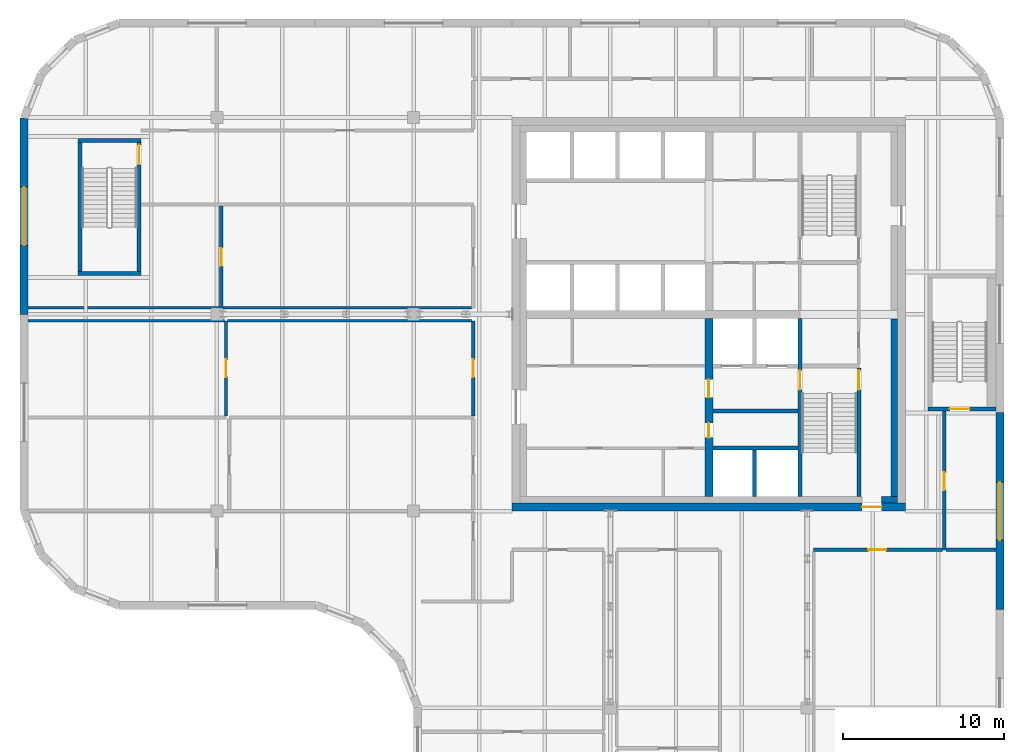
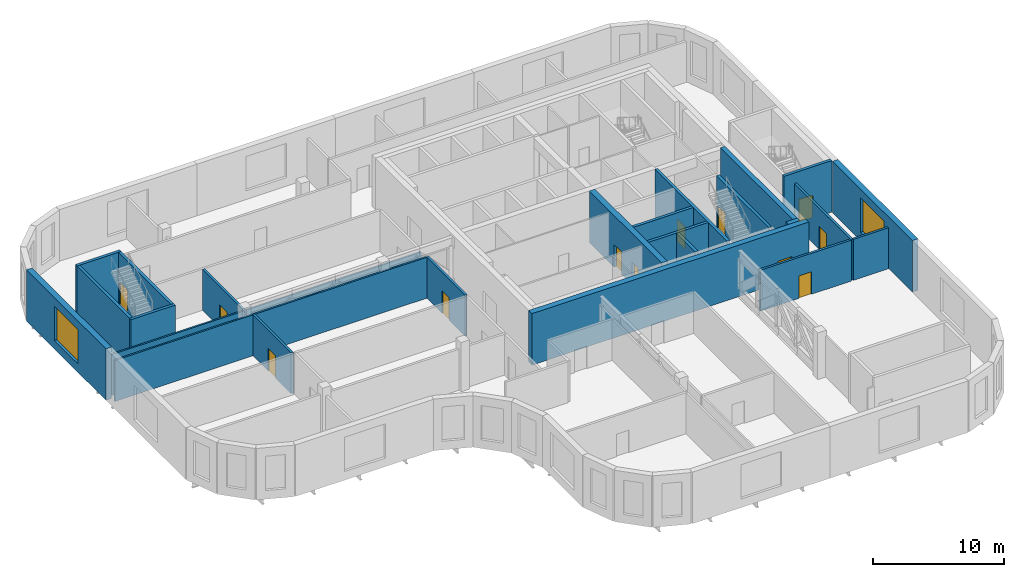
# One storey, part 7 of 12: 26 walls, 12 doors, 2 windows, 14 openings.
"""IFC4 building model written with IfcOpenShell, lengths in metres."""

from ifc_helpers import new_model, si_unit, direction, frame, frame_2d, origin, place, context, subcontext, project, spatial, polyline, rectangle, outline, extrude, faceted_brep, source, transform, mapped, material, layer, layer_set, type_object, element, fill, save


model = new_model("IFC4")

# Units and contexts
model_context = context("Model", 3, precision=1e-05, world=origin(), true_north=direction((0.0, 1.0)))
body_context = subcontext(model_context, "Body", "Model", "MODEL_VIEW")
ifc_project = project(units=[si_unit("LENGTHUNIT", "METRE"), si_unit("AREAUNIT", "SQUARE_METRE"), si_unit("VOLUMEUNIT", "CUBIC_METRE"), si_unit("PLANEANGLEUNIT", "RADIAN"), si_unit("MASSUNIT", "GRAM", prefix="KILO")], contexts=[model_context])

# Site, building, storey
site_placement = place(None, origin())
site = spatial("IfcSite", under=ifc_project, at=site_placement, CompositionType="ELEMENT")
building_placement = place(site_placement, origin())
building = spatial("IfcBuilding", under=site, at=building_placement, Name="Tessera Gate Towers", CompositionType="ELEMENT")
storey_placement = place(building_placement, frame((0.0, 0.0, 232.10009765625)))
storey = spatial("IfcBuildingStorey", under=building, at=storey_placement, Name="L58", CompositionType="ELEMENT", Elevation=232.10009765625)

# Walls
ifc_material_1 = material(Name="Gypsum board on steel studs, mineral wool", Category="steel")
ifc_layer_1 = layer(ifc_material_1, 0.14990234375)
ifc_layer_set_1 = layer_set([ifc_layer_1], Name="CHASE WALL 150")
wall_type_1 = type_object("IfcWallType", Name="CHASE WALL 150", PredefinedType="PARTITIONING", material=ifc_layer_set_1)
wall_1_placement = place(storey_placement, frame((0.5, 36.199951171875, 0.0), z_axis=(0.0, 0.0, 1.0), x_axis=(1.0, 0.0, 0.0)))
element("IfcWall", 1, at=wall_1_placement, inside=storey, type_object=wall_type_1, Name="T1-L58-PW-028", PredefinedType="PARTITIONING", context=body_context, shape_type="SweptSolid", body=[
    extrude(rectangle(XDim=12.174072265625, YDim=0.14990234375, at=frame_2d((6.0869140625, 0.0))), origin(), (0.0, 0.0, 1.0), 3.81689453125),
])
wall_2_placement = place(storey_placement, frame((12.8759765625, 36.199951171875, 0.0), z_axis=(0.0, 0.0, 1.0), x_axis=(1.0, 0.0, 0.0)))
element("IfcWall", 2, at=wall_2_placement, inside=storey, type_object=wall_type_1, Name="T1-L58-PW-029", PredefinedType="PARTITIONING", context=body_context, shape_type="SweptSolid", body=[
    extrude(rectangle(XDim=15.123046875, YDim=0.14990234375, at=frame_2d((7.5615234375, 0.0))), origin(), (0.0, 0.0, 1.0), 3.81689453125),
])
wall_3_placement = place(storey_placement, frame((0.5, 37.0, 0.0), z_axis=(0.0, 0.0, 1.0), x_axis=(1.0, 0.0, 0.0)))
element("IfcWall", 3, at=wall_3_placement, inside=storey, type_object=wall_type_1, Name="T1-L58-PW-030", PredefinedType="PARTITIONING", context=body_context, shape_type="SweptSolid", body=[
    extrude(rectangle(XDim=11.8740234375, YDim=0.14990234375, at=frame_2d((5.93701171875, 0.0))), origin(), (0.0, 0.0, 1.0), 3.81689453125),
])
wall_4_placement = place(storey_placement, frame((12.575927734375, 37.0, 0.0), z_axis=(0.0, 0.0, 1.0), x_axis=(1.0, 0.0, 0.0)))
element("IfcWall", 4, at=wall_4_placement, inside=storey, type_object=wall_type_1, Name="T1-L58-PW-032", PredefinedType="PARTITIONING", context=body_context, shape_type="SweptSolid", body=[
    extrude(rectangle(XDim=15.423095703125, YDim=0.14990234375, at=frame_2d((7.71142578125, 0.0))), origin(), (0.0, 0.0, 1.0), 3.81689453125),
])

# Wall, opening, door
ifc_material_2 = material(Name="Concrete C40/50", Category="concrete")
ifc_layer_2 = layer(ifc_material_2, 0.25)
ifc_layer_set_2 = layer_set([ifc_layer_2], Name="CORE ENCLOSURE WALL 250")
wall_type_2 = type_object("IfcWallType", Name="CORE ENCLOSURE WALL 250", PredefinedType="SOLIDWALL", material=ifc_layer_set_2)
wall_5_placement = place(storey_placement, frame((48.35009765625, 36.35009765625, 0.0), z_axis=(0.0, 0.0, 1.0), x_axis=(0.0, -1.0, 0.0)))
wall_5 = element("IfcWall", 5, at=wall_5_placement, inside=storey, type_object=wall_type_2, Name="L58 shaft and stair enclosure wall", PredefinedType="SOLIDWALL", context=body_context, shape_type="SweptSolid", body=[
    extrude(rectangle(XDim=11.050048828125, YDim=0.25, at=frame_2d((5.52490234375, 0.0))), origin(), (0.0, 0.0, 1.0), 4.7998046875),
])
shared_shape_1 = source(origin(), body_context, "Body", "SweptSolid", [
    extrude(rectangle(XDim=1.199951171875, YDim=2.10009765625, at=frame_2d((0.60009765625, 1.050048828125))), frame((0.0, 0.135009765625, 0.0), z_axis=(0.0, -1.0, 0.0), x_axis=(1.0, 0.0, 0.0)), (0.0, 0.0, 1.0), 0.27001953125),
])
opening_1_placement = place(wall_5_placement, frame((3.22509765625, 0.0, 0.0)))
opening_1 = element("IfcOpeningElement", 6, at=opening_1_placement, cuts=wall_5, Name="Opening SD-ST1-1", PredefinedType="OPENING", context=body_context, shape_type="MappedRepresentation", body=[
    mapped(shared_shape_1, transform((0.0, 0.0, 0.0), scale=1.0)),
])
ifc_material_3 = material(Name="Hollow steel fire door", Category="steel")
door_type_1 = type_object("IfcDoorType", Name="CORE DOOR SD 1200x2100", OperationType="NOTDEFINED", PredefinedType="DOOR", material=ifc_material_3)
shared_shape_2 = source(origin(), body_context, "Body", "SweptSolid", [
    extrude(rectangle(XDim=1.199951171875, YDim=2.10009765625, at=frame_2d((0.60009765625, 1.050048828125))), frame((0.0, 0.02490234375, 0.0), z_axis=(0.0, -1.0, 0.0), x_axis=(1.0, 0.0, 0.0)), (0.0, 0.0, 1.0), 0.050048828125),
])
door_1_placement = place(opening_1_placement, origin())
door_1 = element("IfcDoor", 7, at=door_1_placement, inside=storey, type_object=door_type_1, Name="Stair door", OperationType="SINGLE_SWING_LEFT", OverallHeight=2.10009765625, OverallWidth=1.199951171875, PredefinedType="DOOR", context=body_context, shape_type="MappedRepresentation", body=[
    mapped(shared_shape_2, transform((0.0, 0.0, 0.0), scale=1.0)),
])
fill(opening_1, door_1)

wall_6_placement = place(storey_placement, frame((52.0, 25.300048828125, 0.0), z_axis=(0.0, 0.0, 1.0), x_axis=(0.0, 1.0, 0.0)))
wall_6 = element("IfcWall", 8, at=wall_6_placement, inside=storey, type_object=wall_type_2, Name="L58 shaft and stair enclosure wall", PredefinedType="SOLIDWALL", context=body_context, shape_type="SweptSolid", body=[
    extrude(rectangle(XDim=7.974853515625, YDim=0.25, at=frame_2d((3.9873046875, 0.0))), origin(), (0.0, 0.0, 1.0), 4.7998046875),
])
opening_2_placement = place(wall_6_placement, frame((6.625, 0.0, 0.0)))
opening_2 = element("IfcOpeningElement", 9, at=opening_2_placement, cuts=wall_6, Name="Opening SD-ST1-2", PredefinedType="OPENING", context=body_context, shape_type="MappedRepresentation", body=[
    mapped(shared_shape_1, transform((0.0, 0.0, 0.0), scale=1.0)),
])
door_2_placement = place(opening_2_placement, origin())
door_2 = element("IfcDoor", 10, at=door_2_placement, inside=storey, type_object=door_type_1, Name="Stair door", OperationType="SINGLE_SWING_RIGHT", OverallHeight=2.10009765625, OverallWidth=1.199951171875, PredefinedType="DOOR", context=body_context, shape_type="MappedRepresentation", body=[
    mapped(shared_shape_2, transform((0.0, 0.0, 0.0), scale=1.0)),
])
fill(opening_2, door_2)

# Walls
for number, where, z_axis, x_axis, name in (
    (11, (42.949951171875, 28.300048828125, 0.0), (0.0, 0.0, 1.0), (1.0, 0.0, 0.0), "L58 shaft and stair enclosure wall"),
    (12, (42.949951171875, 30.60009765625, 0.0), (0.0, 0.0, 1.0), (1.0, 0.0, 0.0), "L58 shaft and stair enclosure wall"),
):
    element("IfcWall", number, at=place(storey_placement, frame(where, z_axis=z_axis, x_axis=x_axis)), inside=storey, type_object=wall_type_2, Name=name, PredefinedType="SOLIDWALL", context=body_context, shape_type="SweptSolid", body=[
        extrude(rectangle(XDim=5.275146484375, YDim=0.25, at=frame_2d((2.6376953125, 0.0))), origin(), (0.0, 0.0, 1.0), 4.7998046875),
    ])
wall_7_placement = place(storey_placement, frame((45.52490234375, 25.300048828125, 0.0), z_axis=(0.0, 0.0, 1.0), x_axis=(0.0, 1.0, 0.0)))
element("IfcWall", 13, at=wall_7_placement, inside=storey, type_object=wall_type_2, Name="L58 shaft and stair enclosure wall", PredefinedType="SOLIDWALL", context=body_context, shape_type="SweptSolid", body=[
    extrude(rectangle(XDim=2.875, YDim=0.25, at=frame_2d((1.4375, 0.0))), origin(), (0.0, 0.0, 1.0), 4.7998046875),
])
wall_8_placement = place(storey_placement, frame((7.5, 39.125, 0.0), z_axis=(0.0, 0.0, 1.0), x_axis=(-1.0, 0.0, 0.0)))
element("IfcWall", 14, at=wall_8_placement, inside=storey, type_object=wall_type_2, Name="L58 ST3 enclosure wall", PredefinedType="SOLIDWALL", context=body_context, shape_type="SweptSolid", body=[
    extrude(rectangle(XDim=3.89990234375, YDim=0.25, at=frame_2d((1.949951171875, 0.0))), origin(), (0.0, 0.0, 1.0), 4.7998046875),
])
wall_9_placement = place(storey_placement, frame((3.72509765625, 39.25, 0.0), z_axis=(0.0, 0.0, 1.0), x_axis=(0.0, 1.0, 0.0)))
element("IfcWall", 15, at=wall_9_placement, inside=storey, type_object=wall_type_2, Name="L58 ST3 enclosure wall", PredefinedType="SOLIDWALL", context=body_context, shape_type="SweptSolid", body=[
    extrude(rectangle(XDim=8.0, YDim=0.25, at=frame_2d((4.0, 0.0))), origin(), (0.0, 0.0, 1.0), 4.7998046875),
])
wall_10_placement = place(storey_placement, frame((3.60009765625, 47.375, 0.0), z_axis=(0.0, 0.0, 1.0), x_axis=(1.0, 0.0, 0.0)))
element("IfcWall", 16, at=wall_10_placement, inside=storey, type_object=wall_type_2, Name="L58 ST3 enclosure wall", PredefinedType="SOLIDWALL", context=body_context, shape_type="SweptSolid", body=[
    extrude(rectangle(XDim=3.89990234375, YDim=0.25, at=frame_2d((1.949951171875, 0.0))), origin(), (0.0, 0.0, 1.0), 4.7998046875),
])

# Wall, opening, door
wall_11_placement = place(storey_placement, frame((7.375, 47.25, 0.0), z_axis=(0.0, 0.0, 1.0), x_axis=(0.0, -1.0, 0.0)))
wall_11 = element("IfcWall", 17, at=wall_11_placement, inside=storey, type_object=wall_type_2, Name="L58 ST3 enclosure wall", PredefinedType="SOLIDWALL", context=body_context, shape_type="SweptSolid", body=[
    extrude(rectangle(XDim=8.0, YDim=0.25, at=frame_2d((4.0, 0.0))), origin(), (0.0, 0.0, 1.0), 4.7998046875),
])
opening_3_placement = place(wall_11_placement, frame((0.14990234375, 0.0, 0.0)))
opening_3 = element("IfcOpeningElement", 18, at=opening_3_placement, cuts=wall_11, Name="Opening SD-ST3-1", PredefinedType="OPENING", context=body_context, shape_type="MappedRepresentation", body=[
    mapped(shared_shape_1, transform((0.0, 0.0, 0.0), scale=1.0)),
])
door_3_placement = place(opening_3_placement, origin())
door_3 = element("IfcDoor", 19, at=door_3_placement, inside=storey, type_object=door_type_1, Name="Stair door", OperationType="SINGLE_SWING_LEFT", OverallHeight=2.10009765625, OverallWidth=1.199951171875, PredefinedType="DOOR", context=body_context, shape_type="MappedRepresentation", body=[
    mapped(shared_shape_2, transform((0.0, 0.0, 0.0), scale=1.0)),
])
fill(opening_3, door_3)

wall_12_placement = place(storey_placement, frame((60.5, 30.72509765625, 0.0), z_axis=(0.0, 0.0, 1.0), x_axis=(-1.0, 0.0, 0.0)))
wall_12 = element("IfcWall", 20, at=wall_12_placement, inside=storey, type_object=wall_type_2, Name="L58 ST5 enclosure wall", PredefinedType="SOLIDWALL", context=body_context, shape_type="SweptSolid", body=[
    extrude(rectangle(XDim=4.199951171875, YDim=0.25, at=frame_2d((2.10009765625, 0.0))), origin(), (0.0, 0.0, 1.0), 4.7998046875),
])
opening_4_placement = place(wall_12_placement, frame((1.64990234375, 0.0, 0.0)))
opening_4 = element("IfcOpeningElement", 21, at=opening_4_placement, cuts=wall_12, Name="Opening SD-ST5-1", PredefinedType="OPENING", context=body_context, shape_type="MappedRepresentation", body=[
    mapped(shared_shape_1, transform((0.0, 0.0, 0.0), scale=1.0)),
])
door_4_placement = place(opening_4_placement, origin())
door_4 = element("IfcDoor", 22, at=door_4_placement, inside=storey, type_object=door_type_1, Name="Stair door", OperationType="SINGLE_SWING_RIGHT", OverallHeight=2.10009765625, OverallWidth=1.199951171875, PredefinedType="DOOR", context=body_context, shape_type="MappedRepresentation", body=[
    mapped(shared_shape_2, transform((0.0, 0.0, 0.0), scale=1.0)),
])
fill(opening_4, door_4)

ifc_material_4 = material(Name="Concrete C50/60", Category="concrete")
ifc_layer_3 = layer(ifc_material_4, 0.5)
ifc_layer_set_3 = layer_set([ifc_layer_3], Name="CORE SHEAR WALL 500 C50/60")
wall_type_3 = type_object("IfcWallType", Name="CORE SHEAR WALL 500 C50/60", PredefinedType="SHEAR", material=ifc_layer_set_3)
wall_13_placement = place(storey_placement, frame((54.89990234375, 24.64990234375, 0.0), z_axis=(0.0, 0.0, 1.0), x_axis=(-1.0, 0.0, 0.0)))
wall_13 = element("IfcWall", 23, at=wall_13_placement, inside=storey, type_object=wall_type_3, Name="Core wall S L58", PredefinedType="SHEAR", context=body_context, shape_type="SweptSolid", body=[
    extrude(rectangle(XDim=24.39990234375, YDim=0.5, at=frame_2d((12.199951171875, 0.0))), origin(), (0.0, 0.0, 1.0), 4.7998046875),
])
shared_shape_3 = source(origin(), body_context, "Body", "SweptSolid", [
    extrude(rectangle(XDim=1.199951171875, YDim=2.10009765625, at=frame_2d((0.60009765625, 1.050048828125))), frame((0.0, 0.260009765625, 0.0), z_axis=(0.0, -1.0, 0.0), x_axis=(1.0, 0.0, 0.0)), (0.0, 0.0, 1.0), 0.52001953125),
])
opening_5_placement = place(wall_13_placement, frame((1.5, 0.0, 0.0)))
opening_5 = element("IfcOpeningElement", 24, at=opening_5_placement, cuts=wall_13, Name="Opening ED-T1-35-01", PredefinedType="OPENING", context=body_context, shape_type="MappedRepresentation", body=[
    mapped(shared_shape_3, transform((0.0, 0.0, 0.0), scale=1.0)),
])
ifc_material_5 = material(Name="Hollow steel fire door", Category="steel")
door_type_2 = type_object("IfcDoorType", Name="CORE DOOR ED 1200x2100", OperationType="NOTDEFINED", PredefinedType="DOOR", material=ifc_material_5)
door_5_placement = place(opening_5_placement, origin())
door_5 = element("IfcDoor", 25, at=door_5_placement, inside=storey, type_object=door_type_2, Name="Core exit door", OperationType="SINGLE_SWING_LEFT", OverallHeight=2.10009765625, OverallWidth=1.199951171875, PredefinedType="DOOR", context=body_context, shape_type="MappedRepresentation", body=[
    mapped(shared_shape_2, transform((0.0, 0.0, 0.0), scale=1.0)),
])
fill(opening_5, door_5)

# Wall, openings, doors
ifc_material_6 = material(Name="Concrete C50/60", Category="concrete")
ifc_layer_4 = layer(ifc_material_6, 0.5)
ifc_layer_set_4 = layer_set([ifc_layer_4], Name="CORE SPINE WALL 500 C50/60")
wall_type_4 = type_object("IfcWallType", Name="CORE SPINE WALL 500 C50/60", PredefinedType="SHEAR", material=ifc_layer_set_4)
wall_14_placement = place(storey_placement, frame((42.699951171875, 36.35009765625, 0.0), z_axis=(0.0, 0.0, 1.0), x_axis=(0.0, -1.0, 0.0)))
wall_14 = element("IfcWall", 26, at=wall_14_placement, inside=storey, type_object=wall_type_4, Name="Core wall spine L58", PredefinedType="SHEAR", context=body_context, shape_type="SweptSolid", body=[
    extrude(rectangle(XDim=11.050048828125, YDim=0.5, at=frame_2d((5.52490234375, 0.0))), origin(), (0.0, 0.0, 1.0), 4.7998046875),
])
shared_shape_4 = source(origin(), body_context, "Body", "SweptSolid", [
    extrude(rectangle(XDim=0.89990234375, YDim=2.10009765625, at=frame_2d((0.449951171875, 1.050048828125))), frame((0.0, 0.260009765625, 0.0), z_axis=(0.0, -1.0, 0.0), x_axis=(1.0, 0.0, 0.0)), (0.0, 0.0, 1.0), 0.52001953125),
])
opening_6_placement = place(wall_14_placement, frame((6.5, 0.0, 0.0)))
opening_6 = element("IfcOpeningElement", 27, at=opening_6_placement, cuts=wall_14, Name="Opening RD-T1-35-05", PredefinedType="OPENING", context=body_context, shape_type="MappedRepresentation", body=[
    mapped(shared_shape_4, transform((0.0, 0.0, 0.0), scale=1.0)),
])
shared_shape_5 = source(origin(), body_context, "Body", "SweptSolid", [
    extrude(rectangle(XDim=1.10009765625, YDim=2.10009765625, at=frame_2d((0.550048828125, 1.050048828125))), frame((0.0, 0.260009765625, 0.0), z_axis=(0.0, -1.0, 0.0), x_axis=(1.0, 0.0, 0.0)), (0.0, 0.0, 1.0), 0.52001953125),
])
opening_7_placement = place(wall_14_placement, frame((3.800048828125, 0.0, 0.0)))
opening_7 = element("IfcOpeningElement", 28, at=opening_7_placement, cuts=wall_14, Name="Opening FD-T1-35-06", PredefinedType="OPENING", context=body_context, shape_type="MappedRepresentation", body=[
    mapped(shared_shape_5, transform((0.0, 0.0, 0.0), scale=1.0)),
])
ifc_material_7 = material(Name="Hollow steel fire door", Category="steel")
door_type_3 = type_object("IfcDoorType", Name="CORE DOOR RD 900x2100", OperationType="NOTDEFINED", PredefinedType="DOOR", material=ifc_material_7)
shared_shape_6 = source(origin(), body_context, "Body", "SweptSolid", [
    extrude(rectangle(XDim=0.89990234375, YDim=2.10009765625, at=frame_2d((0.449951171875, 1.050048828125))), frame((0.0, 0.02490234375, 0.0), z_axis=(0.0, -1.0, 0.0), x_axis=(1.0, 0.0, 0.0)), (0.0, 0.0, 1.0), 0.050048828125),
])
door_6_placement = place(opening_6_placement, origin())
door_6 = element("IfcDoor", 29, at=door_6_placement, inside=storey, type_object=door_type_3, Name="Core room door", OperationType="SINGLE_SWING_RIGHT", OverallHeight=2.10009765625, OverallWidth=0.89990234375, PredefinedType="DOOR", context=body_context, shape_type="MappedRepresentation", body=[
    mapped(shared_shape_6, transform((0.0, 0.0, 0.0), scale=1.0)),
])
fill(opening_6, door_6)
ifc_material_8 = material(Name="Hollow steel fire door", Category="steel")
door_type_4 = type_object("IfcDoorType", Name="CORE DOOR FD 1100x2100", OperationType="NOTDEFINED", PredefinedType="DOOR", material=ifc_material_8)
shared_shape_7 = source(origin(), body_context, "Body", "SweptSolid", [
    extrude(rectangle(XDim=1.10009765625, YDim=2.10009765625, at=frame_2d((0.550048828125, 1.050048828125))), frame((0.0, 0.02490234375, 0.0), z_axis=(0.0, -1.0, 0.0), x_axis=(1.0, 0.0, 0.0)), (0.0, 0.0, 1.0), 0.050048828125),
])
door_7_placement = place(opening_7_placement, origin())
door_7 = element("IfcDoor", 30, at=door_7_placement, inside=storey, type_object=door_type_4, Name="Fire-fighting lobby door", OperationType="SINGLE_SWING_LEFT", OverallHeight=2.10009765625, OverallWidth=1.10009765625, PredefinedType="DOOR", context=body_context, shape_type="MappedRepresentation", body=[
    mapped(shared_shape_7, transform((0.0, 0.0, 0.0), scale=1.0)),
])
fill(opening_7, door_7)

# Walls
ifc_material_9 = material(Name="Concrete C50/60", Category="concrete")
ifc_layer_5 = layer(ifc_material_9, 0.39990234375)
ifc_layer_set_5 = layer_set([ifc_layer_5], Name="CORE WALL THICKENING 400")
wall_type_5 = type_object("IfcWallType", Name="CORE WALL THICKENING 400", PredefinedType="SOLIDWALL", material=ifc_layer_set_5)
wall_15_placement = place(storey_placement, frame((53.39990234375, 25.10009765625, 0.0), z_axis=(0.0, 0.0, 1.0), x_axis=(1.0, 0.0, 0.0)))
element("IfcWall", 31, at=wall_15_placement, inside=storey, type_object=wall_type_5, Name="Core wall thickening S L58", PredefinedType="SOLIDWALL", context=body_context, shape_type="SweptSolid", body=[
    extrude(rectangle(XDim=1.0, YDim=0.39990234375, at=frame_2d((0.5, 0.0))), origin(), (0.0, 0.0, 1.0), 4.7998046875),
])
wall_16_placement = place(storey_placement, frame((54.199951171875, 25.300048828125, 0.0), z_axis=(0.0, 0.0, 1.0), x_axis=(0.0, 1.0, 0.0)))
element("IfcWall", 32, at=wall_16_placement, inside=storey, type_object=wall_type_5, Name="Core wall thickening E L58", PredefinedType="SOLIDWALL", context=body_context, shape_type="SweptSolid", body=[
    extrude(rectangle(XDim=11.02001953125, YDim=0.39990234375, at=frame_2d((5.510009765625, 0.0))), origin(), (0.0, 0.0, 1.0), 4.7998046875),
])

# Wall, opening, door
ifc_material_10 = material(Name="Concrete masonry unit", Category="masonry")
ifc_layer_6 = layer(ifc_material_10, 0.199951171875)
ifc_layer_set_6 = layer_set([ifc_layer_6], Name="PLANT WALL 200")
wall_type_6 = type_object("IfcWallType", Name="PLANT WALL 200", PredefinedType="PARTITIONING", material=ifc_layer_set_6)
wall_17_placement = place(storey_placement, frame((57.198974609375, 22.0, 0.0), z_axis=(0.0, 0.0, 1.0), x_axis=(-1.0, 0.0, 0.0)))
wall_17 = element("IfcWall", 33, at=wall_17_placement, inside=storey, type_object=wall_type_6, Name="T1-L58-PW-016", PredefinedType="PARTITIONING", context=body_context, shape_type="SweptSolid", body=[
    extrude(rectangle(XDim=7.9990234375, YDim=0.199951171875, at=frame_2d((3.99951171875, 0.0))), origin(), (0.0, 0.0, 1.0), 3.81689453125),
])
shared_shape_8 = source(origin(), body_context, "Body", "SweptSolid", [
    extrude(rectangle(XDim=1.10009765625, YDim=2.10009765625, at=frame_2d((0.550048828125, 1.050048828125))), frame((0.0, 0.10986328125, 0.0), z_axis=(0.0, -1.0, 0.0), x_axis=(1.0, 0.0, 0.0)), (0.0, 0.0, 1.0), 0.219970703125),
])
opening_8_placement = place(wall_17_placement, frame((3.4990234375, 0.0, 0.0)))
opening_8 = element("IfcOpeningElement", 34, at=opening_8_placement, cuts=wall_17, Name="Opening D5110FD90-A32-15", PredefinedType="OPENING", context=body_context, shape_type="MappedRepresentation", body=[
    mapped(shared_shape_8, transform((0.0, 0.0, 0.0), scale=1.0)),
])
ifc_material_11 = material(Name="Timber door leaf in steel frame", Category="steel")
door_type_5 = type_object("IfcDoorType", Name="PLANT DOOR 1100 FD90", OperationType="NOTDEFINED", PredefinedType="DOOR", material=ifc_material_11)
door_8_placement = place(opening_8_placement, origin())
door_8 = element("IfcDoor", 35, at=door_8_placement, inside=storey, type_object=door_type_5, Name="T1-L58-PD-015", OperationType="SINGLE_SWING_RIGHT", OverallHeight=2.10009765625, OverallWidth=1.10009765625, PredefinedType="DOOR", context=body_context, shape_type="MappedRepresentation", body=[
    mapped(shared_shape_7, transform((0.0, 0.0, 0.0), scale=1.0)),
])
fill(opening_8, door_8)

wall_18_placement = place(storey_placement, frame((57.300048828125, 30.60009765625, 0.0), z_axis=(0.0, 0.0, 1.0), x_axis=(0.0, -1.0, 0.0)))
wall_18 = element("IfcWall", 36, at=wall_18_placement, inside=storey, type_object=wall_type_6, Name="T1-L58-PW-017", PredefinedType="PARTITIONING", context=body_context, shape_type="SweptSolid", body=[
    extrude(rectangle(XDim=8.60009765625, YDim=0.199951171875, at=frame_2d((4.300048828125, 0.0))), origin(), (0.0, 0.0, 1.0), 3.81689453125),
])
opening_9_placement = place(wall_18_placement, frame((3.800048828125, 0.0, 0.0)))
opening_9 = element("IfcOpeningElement", 37, at=opening_9_placement, cuts=wall_18, Name="Opening D5110FD90-A32-16", PredefinedType="OPENING", context=body_context, shape_type="MappedRepresentation", body=[
    mapped(shared_shape_8, transform((0.0, 0.0, 0.0), scale=1.0)),
])
door_9_placement = place(opening_9_placement, origin())
door_9 = element("IfcDoor", 38, at=door_9_placement, inside=storey, type_object=door_type_5, Name="T1-L58-PD-016", OperationType="SINGLE_SWING_RIGHT", OverallHeight=2.10009765625, OverallWidth=1.10009765625, PredefinedType="DOOR", context=body_context, shape_type="MappedRepresentation", body=[
    mapped(shared_shape_7, transform((0.0, 0.0, 0.0), scale=1.0)),
])
fill(opening_9, door_9)

# Wall
wall_19_placement = place(storey_placement, frame((57.40087890625, 22.0, 0.0), z_axis=(0.0, 0.0, 1.0), x_axis=(1.0, 0.0, 0.0)))
element("IfcWall", 39, at=wall_19_placement, inside=storey, type_object=wall_type_6, Name="T1-L58-PW-018", PredefinedType="PARTITIONING", context=body_context, shape_type="SweptSolid", body=[
    extrude(rectangle(XDim=3.09912109375, YDim=0.199951171875, at=frame_2d((1.549560546875, 0.0))), origin(), (0.0, 0.0, 1.0), 3.81689453125),
])

# Wall, opening, door
wall_20_placement = place(storey_placement, frame((12.77490234375, 30.301025390625, 0.0), z_axis=(0.0, 0.0, 1.0), x_axis=(0.0, 1.0, 0.0)))
wall_20 = element("IfcWall", 40, at=wall_20_placement, inside=storey, type_object=wall_type_6, Name="T1-L58-PW-026", PredefinedType="PARTITIONING", context=body_context, shape_type="SweptSolid", body=[
    extrude(rectangle(XDim=5.89892578125, YDim=0.199951171875, at=frame_2d((2.949462890625, 0.0))), origin(), (0.0, 0.0, 1.0), 3.81689453125),
])
opening_10_placement = place(wall_20_placement, frame((2.39990234375, 0.0, 0.0)))
opening_10 = element("IfcOpeningElement", 41, at=opening_10_placement, cuts=wall_20, Name="Opening D5110FD90-A32-08", PredefinedType="OPENING", context=body_context, shape_type="MappedRepresentation", body=[
    mapped(shared_shape_8, transform((0.0, 0.0, 0.0), scale=1.0)),
])
door_10_placement = place(opening_10_placement, origin())
door_10 = element("IfcDoor", 42, at=door_10_placement, inside=storey, type_object=door_type_5, Name="T1-L58-PD-008", OperationType="SINGLE_SWING_LEFT", OverallHeight=2.10009765625, OverallWidth=1.10009765625, PredefinedType="DOOR", context=body_context, shape_type="MappedRepresentation", body=[
    mapped(shared_shape_7, transform((0.0, 0.0, 0.0), scale=1.0)),
])
fill(opening_10, door_10)

wall_21_placement = place(storey_placement, frame((28.10009765625, 30.301025390625, 0.0), z_axis=(0.0, 0.0, 1.0), x_axis=(0.0, 1.0, 0.0)))
wall_21 = element("IfcWall", 43, at=wall_21_placement, inside=storey, type_object=wall_type_6, Name="T1-L58-PW-027", PredefinedType="PARTITIONING", context=body_context, shape_type="SweptSolid", body=[
    extrude(rectangle(XDim=5.89892578125, YDim=0.199951171875, at=frame_2d((2.949462890625, 0.0))), origin(), (0.0, 0.0, 1.0), 3.81689453125),
])
opening_11_placement = place(wall_21_placement, frame((2.39990234375, 0.0, 0.0)))
opening_11 = element("IfcOpeningElement", 44, at=opening_11_placement, cuts=wall_21, Name="Opening D5110FD90-A32-07", PredefinedType="OPENING", context=body_context, shape_type="MappedRepresentation", body=[
    mapped(shared_shape_8, transform((0.0, 0.0, 0.0), scale=1.0)),
])
door_11_placement = place(opening_11_placement, origin())
door_11 = element("IfcDoor", 45, at=door_11_placement, inside=storey, type_object=door_type_5, Name="T1-L58-PD-007", OperationType="SINGLE_SWING_LEFT", OverallHeight=2.10009765625, OverallWidth=1.10009765625, PredefinedType="DOOR", context=body_context, shape_type="MappedRepresentation", body=[
    mapped(shared_shape_7, transform((0.0, 0.0, 0.0), scale=1.0)),
])
fill(opening_11, door_11)

wall_22_placement = place(storey_placement, frame((12.47509765625, 37.0, 0.0), z_axis=(0.0, 0.0, 1.0), x_axis=(0.0, 1.0, 0.0)))
wall_22 = element("IfcWall", 46, at=wall_22_placement, inside=storey, type_object=wall_type_6, Name="T1-L58-PW-031", PredefinedType="PARTITIONING", context=body_context, shape_type="SweptSolid", body=[
    extrude(rectangle(XDim=6.299072265625, YDim=0.199951171875, at=frame_2d((3.1494140625, 0.0))), origin(), (0.0, 0.0, 1.0), 3.81689453125),
])
opening_12_placement = place(wall_22_placement, frame((2.60009765625, 0.0, 0.0)))
opening_12 = element("IfcOpeningElement", 47, at=opening_12_placement, cuts=wall_22, Name="Opening D5110FD90-A32-12", PredefinedType="OPENING", context=body_context, shape_type="MappedRepresentation", body=[
    mapped(shared_shape_8, transform((0.0, 0.0, 0.0), scale=1.0)),
])
door_12_placement = place(opening_12_placement, origin())
door_12 = element("IfcDoor", 48, at=door_12_placement, inside=storey, type_object=door_type_5, Name="T1-L58-PD-012", OperationType="SINGLE_SWING_LEFT", OverallHeight=2.10009765625, OverallWidth=1.10009765625, PredefinedType="DOOR", context=body_context, shape_type="MappedRepresentation", body=[
    mapped(shared_shape_7, transform((0.0, 0.0, 0.0), scale=1.0)),
])
fill(opening_12, door_12)

# Wall, opening, window
ifc_material_12 = material(Name="Precast concrete C60/75 white", Category="concrete")
ifc_layer_7 = layer(ifc_material_12, 0.5)
ifc_layer_set_7 = layer_set([ifc_layer_7], Name="RB1 ring band panel")
wall_type_7 = type_object("IfcWallType", Name="RB1 ring band panel", PredefinedType="SOLIDWALL", material=ifc_layer_set_7)
shared_shape_9 = source(origin(), body_context, "Body", "Brep", [
    faceted_brep([(0.0, -0.25, 0.0), (12.153564453125, -0.25, 0.0), (12.153564453125, -0.25, 4.7998046875), (0.0, -0.25, 4.7998046875), (0.046630859375, 0.25, 4.7998046875), (12.153564453125, 0.25, 4.7998046875), (12.153564453125, 0.25, 0.0), (0.046630859375, 0.25, 0.0), (0.0, 0.0, 0.0), (0.0, 0.0, 4.7998046875)], [[[0, 1, 2, 3]], [[4, 5, 6, 7]], [[7, 6, 1, 0, 8]], [[5, 4, 9, 3, 2]], [[8, 0, 3, 9]], [[7, 8, 9, 4]], [[1, 6, 5, 2]]]),
])
wall_23_placement = place(storey_placement, frame((0.25, 48.75341796875, 0.0), z_axis=(0.0, 0.0, 1.0), x_axis=(0.0, -1.0, 0.0)))
wall_23 = element("IfcWall", 49, at=wall_23_placement, inside=storey, type_object=wall_type_7, Name="Ring band panel T1 RB1-0084", PredefinedType="SOLIDWALL", context=body_context, shape_type="MappedRepresentation", body=[
    mapped(shared_shape_9, transform((0.0, 0.0, 0.0), scale=1.0)),
])
shared_shape_10 = source(origin(), body_context, "Body", "SweptSolid", [
    extrude(outline(polyline([(4.276611328125, 0.7998046875), (7.876708984375, 0.7998046875), (7.876708984375, 4.0), (4.276611328125, 4.0), (4.276611328125, 0.7998046875)])), frame((0.0, 0.260009765625, 0.0), z_axis=(0.0, -1.0, 0.0), x_axis=(1.0, 0.0, 0.0)), (0.0, 0.0, 1.0), 0.52001953125),
])
opening_13_placement = place(wall_23_placement, origin())
opening_13 = element("IfcOpeningElement", 50, at=opening_13_placement, cuts=wall_23, Name="Opening T1-WN-LV1-0084", PredefinedType="OPENING", context=body_context, shape_type="MappedRepresentation", body=[
    mapped(shared_shape_10, transform((0.0, 0.0, 0.0), scale=1.0)),
])
ifc_material_13 = material(Name="Aluminium louvre", Category="aluminium")
ifc_layer_8 = layer(ifc_material_13, 0.06005859375)
ifc_layer_set_8 = layer_set([ifc_layer_8], Name="LV1 louvre")
window_type = type_object("IfcWindowType", Name="LV1 louvre", PartitioningType="USERDEFINED", PredefinedType="WINDOW", material=ifc_layer_set_8)
shared_shape_11 = source(origin(), body_context, "Body", "SweptSolid", [
    extrude(outline(polyline([(4.276611328125, 0.7998046875), (7.876708984375, 0.7998046875), (7.876708984375, 4.0), (4.276611328125, 4.0), (4.276611328125, 0.7998046875)])), frame((0.0, 0.030029296875, 0.0), z_axis=(0.0, -1.0, 0.0), x_axis=(1.0, 0.0, 0.0)), (0.0, 0.0, 1.0), 0.06005859375),
])
window_1_placement = place(opening_13_placement, origin())
window_1 = element("IfcWindow", 51, at=window_1_placement, inside=storey, type_object=window_type, Name="Louvre T1 WN-LV1-0084", OverallHeight=3.2001953125, OverallWidth=3.60009765625, PartitioningType="USERDEFINED", PredefinedType="WINDOW", context=body_context, shape_type="MappedRepresentation", body=[
    mapped(shared_shape_11, transform((0.0, 0.0, 0.0), scale=1.0)),
])
fill(opening_13, window_1)

shared_shape_12 = source(origin(), body_context, "Body", "SweptSolid", [
    extrude(outline(polyline([(0.0, 0.0), (12.199951171875, 0.0), (12.199951171875, 4.7998046875), (0.0, 4.7998046875), (0.0, 0.0)])), frame((0.0, 0.25, 0.0), z_axis=(0.0, -1.0, 0.0), x_axis=(1.0, 0.0, 0.0)), (0.0, 0.0, 1.0), 0.5),
])
wall_24_placement = place(storey_placement, frame((60.75, 18.300048828125, 0.0), z_axis=(0.0, 0.0, 1.0), x_axis=(0.0, 1.0, 0.0)))
wall_24 = element("IfcWall", 52, at=wall_24_placement, inside=storey, type_object=wall_type_7, Name="Ring band panel T1 RB1-0071", PredefinedType="SOLIDWALL", context=body_context, shape_type="MappedRepresentation", body=[
    mapped(shared_shape_12, transform((0.0, 0.0, 0.0), scale=1.0)),
])
shared_shape_13 = source(origin(), body_context, "Body", "SweptSolid", [
    extrude(outline(polyline([(4.300048828125, 0.7998046875), (7.89990234375, 0.7998046875), (7.89990234375, 4.0), (4.300048828125, 4.0), (4.300048828125, 0.7998046875)])), frame((0.0, 0.260009765625, 0.0), z_axis=(0.0, -1.0, 0.0), x_axis=(1.0, 0.0, 0.0)), (0.0, 0.0, 1.0), 0.52001953125),
])
opening_14_placement = place(wall_24_placement, origin())
opening_14 = element("IfcOpeningElement", 53, at=opening_14_placement, cuts=wall_24, Name="Opening T1-WN-LV1-0071", PredefinedType="OPENING", context=body_context, shape_type="MappedRepresentation", body=[
    mapped(shared_shape_13, transform((0.0, 0.0, 0.0), scale=1.0)),
])
shared_shape_14 = source(origin(), body_context, "Body", "SweptSolid", [
    extrude(outline(polyline([(4.300048828125, 0.7998046875), (7.89990234375, 0.7998046875), (7.89990234375, 4.0), (4.300048828125, 4.0), (4.300048828125, 0.7998046875)])), frame((0.0, 0.030029296875, 0.0), z_axis=(0.0, -1.0, 0.0), x_axis=(1.0, 0.0, 0.0)), (0.0, 0.0, 1.0), 0.06005859375),
])
window_2_placement = place(opening_14_placement, origin())
window_2 = element("IfcWindow", 54, at=window_2_placement, inside=storey, type_object=window_type, Name="Louvre T1 WN-LV1-0071", OverallHeight=3.2001953125, OverallWidth=3.599853515625, PartitioningType="USERDEFINED", PredefinedType="WINDOW", context=body_context, shape_type="MappedRepresentation", body=[
    mapped(shared_shape_14, transform((0.0, 0.0, 0.0), scale=1.0)),
])
fill(opening_14, window_2)

save(model, "model.ifc")
